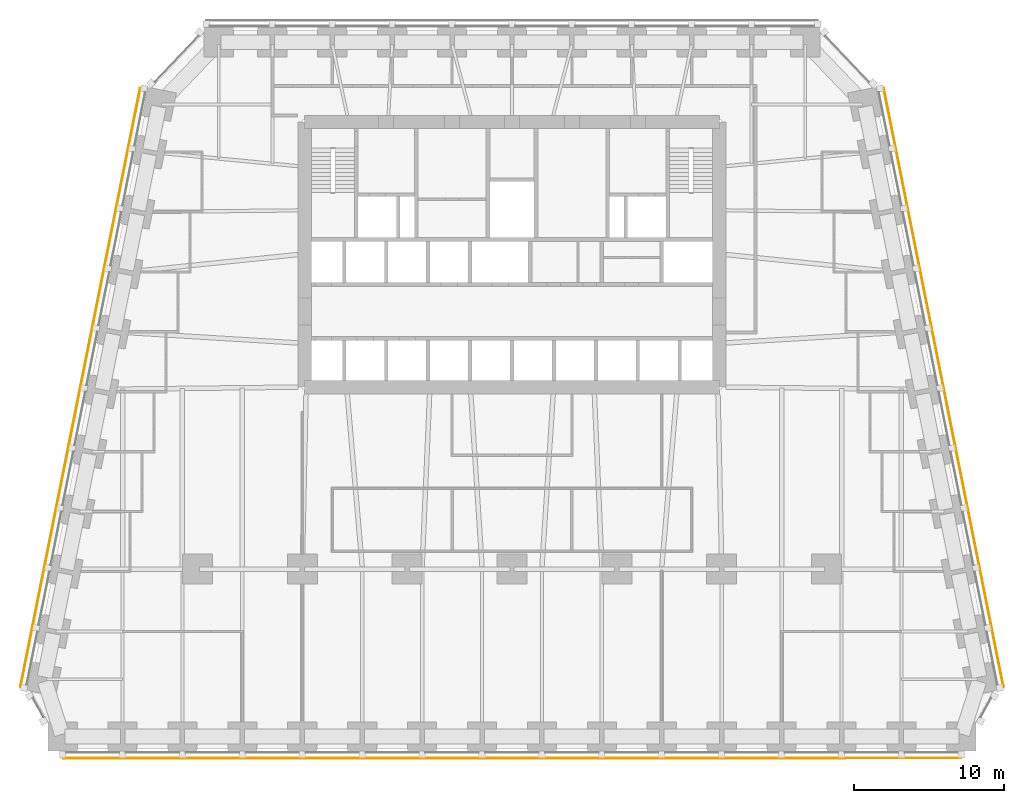
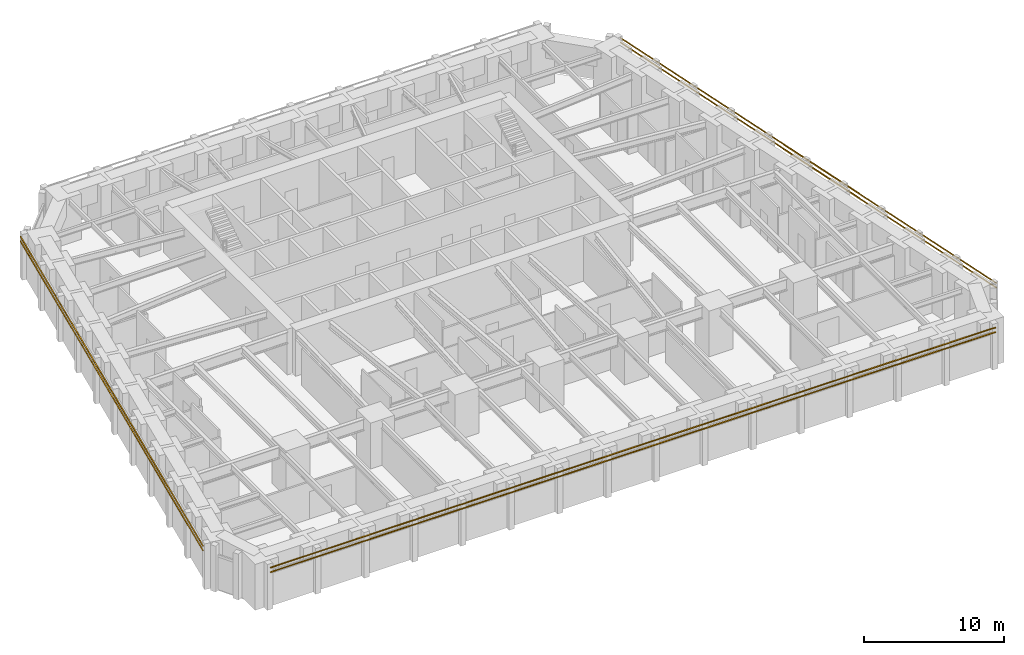
# One storey, part 9 of 10: 6 shading devices.
"""IFC4 building model written with IfcOpenShell, lengths in metres."""

from ifc_helpers import new_model, si_unit, direction, frame, origin, origin_2d, place, context, subcontext, project, spatial, rectangle, extrude, material, material_profile, profile_set, type_object, element, save


model = new_model("IFC4")

# Units and contexts
model_context = context("Model", 3, precision=1e-05, world=origin(), true_north=direction((0.0, 1.0)))
body_context = subcontext(model_context, "Body", "Model", "MODEL_VIEW")
ifc_project = project(units=[si_unit("LENGTHUNIT", "METRE"), si_unit("AREAUNIT", "SQUARE_METRE"), si_unit("VOLUMEUNIT", "CUBIC_METRE"), si_unit("PLANEANGLEUNIT", "RADIAN"), si_unit("MASSUNIT", "GRAM", prefix="KILO")], contexts=[model_context])

# Site, building, storey
site_placement = place(None, origin())
site = spatial("IfcSite", under=ifc_project, at=site_placement, CompositionType="ELEMENT")
building_placement = place(site_placement, origin())
building = spatial("IfcBuilding", under=site, at=building_placement, Name="Isbrekke Arena Tower", CompositionType="ELEMENT")
storey_placement = place(building_placement, frame((0.0, 0.0, 84.0)))
storey = spatial("IfcBuildingStorey", under=building, at=storey_placement, Name="L18", CompositionType="ELEMENT", Elevation=84.0)

# Shading devices
ifc_material = material(Name="Terracotta", Category="masonry")
ifc_material_profile = material_profile(ifc_material, rectangle(XDim=0.06005859375, YDim=0.06005859375, at=origin_2d()), Name="BAGUETTE 60X60")
ifc_profile_set = profile_set([ifc_material_profile], Name="Terracotta")
shading_device_type = type_object("IfcShadingDeviceType", Name="BG1 TERRACOTTA BAGUETTE 60 x 60", PredefinedType="USERDEFINED", material=ifc_profile_set)
for number, where, z_axis, x_axis, name in (
    (1, (-30.0, -18.6298828125, 3.280029296875), (1.0, 0.0, 0.0), (0.0, 1.0, 0.0), "BG1 terracotta baguette S1 L18"),
    (2, (-30.0, -18.6298828125, 3.679931640625), (1.0, 0.0, 0.0), (0.0, 1.0, 0.0), "BG1 terracotta baguette S2 L18"),
):
    element("IfcShadingDevice", number, at=place(storey_placement, frame(where, z_axis=z_axis, x_axis=x_axis)), inside=storey, type_object=shading_device_type, Name=name, ObjectType="TERRACOTTA BAGUETTE", PredefinedType="USERDEFINED", context=body_context, shape_type="SweptSolid", body=[
        extrude(rectangle(XDim=0.06005859375, YDim=0.06005859375, at=origin_2d()), origin(), (0.0, 0.0, 1.0), 60.0),
    ])
for number, where, z_axis, x_axis, name in (
    (3, (32.81787109375, -13.87646484375, 3.280029296875), (-0.196116135138, 0.980580675691, 0.0), (-0.980580675691, -0.196116135138, 0.0), "BG1 terracotta baguette E1 L18"),
    (4, (32.81787109375, -13.87646484375, 3.679931640625), (-0.196116135138, 0.980580675691, 0.0), (-0.980580675691, -0.196116135138, 0.0), "BG1 terracotta baguette E2 L18"),
    (5, (-24.81787109375, 26.12353515625, 3.280029296875), (-0.196116135138, -0.980580675691, 0.0), (0.980580675691, -0.196116135138, 0.0), "BG1 terracotta baguette W1 L18"),
    (6, (-24.81787109375, 26.12353515625, 3.679931640625), (-0.196116135138, -0.980580675691, 0.0), (0.980580675691, -0.196116135138, 0.0), "BG1 terracotta baguette W2 L18"),
):
    element("IfcShadingDevice", number, at=place(storey_placement, frame(where, z_axis=z_axis, x_axis=x_axis)), inside=storey, type_object=shading_device_type, Name=name, ObjectType="TERRACOTTA BAGUETTE", PredefinedType="USERDEFINED", context=body_context, shape_type="SweptSolid", body=[
        extrude(rectangle(XDim=0.06005859375, YDim=0.06005859375, at=origin_2d()), origin(), (0.0, 0.0, 1.0), 40.792236328125),
    ])

save(model, "model.ifc")
